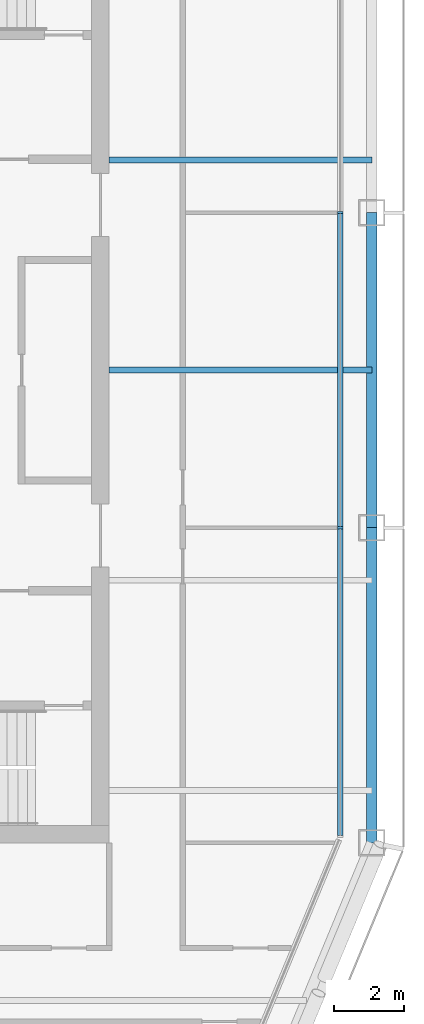
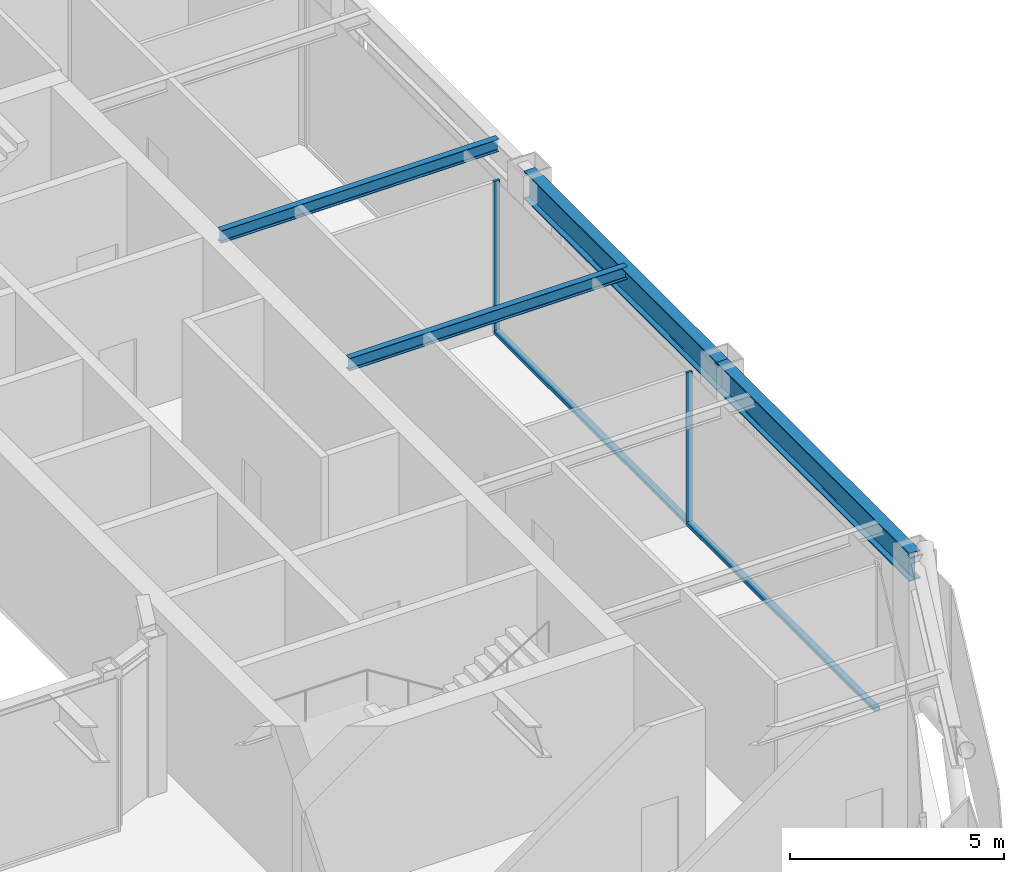
# One storey, part 5 of 21: 4 beams, 4 members, 1 element without a shape of its own.
"""IFC4 building model written with IfcOpenShell, lengths in metres."""

from ifc_helpers import new_model, si_unit, direction, frame, origin, origin_2d, place, context, subcontext, project, spatial, rectangle, i_section, extrude, material, layer, layer_set, material_profile, profile_set, type_object, element, aggregate, save


model = new_model("IFC4")

# Units and contexts
model_context = context("Model", 3, precision=1e-05, world=origin(), true_north=direction((0.0, 1.0)))
body_context = subcontext(model_context, "Body", "Model", "MODEL_VIEW")
ifc_project = project(units=[si_unit("LENGTHUNIT", "METRE"), si_unit("AREAUNIT", "SQUARE_METRE"), si_unit("VOLUMEUNIT", "CUBIC_METRE"), si_unit("PLANEANGLEUNIT", "RADIAN"), si_unit("MASSUNIT", "GRAM", prefix="KILO")], contexts=[model_context])

# Site, building, storey
site_placement = place(None, origin())
site = spatial("IfcSite", under=ifc_project, at=site_placement, CompositionType="ELEMENT")
building_placement = place(site_placement, origin())
building = spatial("IfcBuilding", under=site, at=building_placement, Name="Siwar Civic Tower", CompositionType="ELEMENT")
storey_placement = place(building_placement, frame((0.0, 0.0, 294.199951171875)))
storey = spatial("IfcBuildingStorey", under=building, at=storey_placement, Name="L63", CompositionType="ELEMENT", Elevation=294.199951171875)

# Curtain wall, members
ifc_material_1 = material(Name="Aluminium and glass", Category="aluminium")
ifc_layer = layer(ifc_material_1, 0.159912109375)
ifc_layer_set = layer_set([ifc_layer], Name="Aluminium and glass")
curtain_wall_type = type_object("IfcCurtainWallType", Name="ENV-CW-D", PredefinedType="NOTDEFINED", material=ifc_layer_set)
curtain_wall_placement = place(storey_placement, origin())
curtain_wall = element("IfcCurtainWall", 1, at=curtain_wall_placement, inside=storey, type_object=curtain_wall_type, Name="Curtain wall D E", PredefinedType="NOTDEFINED")
ifc_material_2 = material(Name="Aluminium 6063-T6", Category="aluminium")
ifc_material_profile_1 = material_profile(ifc_material_2, rectangle(XDim=0.159912109375, YDim=0.06005859375, at=origin_2d()), Name="AL 160x60")
ifc_profile_set_1 = profile_set([ifc_material_profile_1], Name="Aluminium 6063-T6")
member_type_1 = type_object("IfcMemberType", Name="ENV-MULLION-D", PredefinedType="MULLION", material=ifc_profile_set_1)
member_1_placement = place(storey_placement, frame((23.85009765625, -4.5, 0.0), z_axis=(0.0, 0.0, 1.0), x_axis=(-1.0, 0.0, 0.0)))
member_1 = element("IfcMember", 2, at=member_1_placement, type_object=member_type_1, Name="Mullion D E 2", PredefinedType="MULLION", context=body_context, shape_type="SweptSolid", body=[
    extrude(rectangle(XDim=0.159912109375, YDim=0.06005859375, at=origin_2d()), origin(), (0.0, 0.0, 1.0), 4.35009765625),
])
member_2_placement = place(storey_placement, frame((23.85009765625, 4.5, 0.0), z_axis=(0.0, 0.0, 1.0), x_axis=(-1.0, 0.0, 0.0)))
member_2 = element("IfcMember", 3, at=member_2_placement, type_object=member_type_1, Name="Mullion D E 3", PredefinedType="MULLION", context=body_context, shape_type="SweptSolid", body=[
    extrude(rectangle(XDim=0.159912109375, YDim=0.06005859375, at=origin_2d()), origin(), (0.0, 0.0, 1.0), 4.35009765625),
])
ifc_material_3 = material(Name="Aluminium 6063-T6", Category="aluminium")
ifc_material_profile_2 = material_profile(ifc_material_3, rectangle(XDim=0.159912109375, YDim=0.10009765625, at=origin_2d()), Name="AL 160x100")
ifc_profile_set_2 = profile_set([ifc_material_profile_2], Name="Aluminium 6063-T6")
member_type_2 = type_object("IfcMemberType", Name="ENV-TRANSOM-D", PredefinedType="USERDEFINED", material=ifc_profile_set_2)
member_3_placement = place(storey_placement, frame((23.85009765625, -13.291015625, 0.050048828125), z_axis=(0.0, 1.0, 0.0), x_axis=(-1.0, 0.0, 0.0)))
member_3 = element("IfcMember", 4, at=member_3_placement, type_object=member_type_2, Name="Transom D E 1", ObjectType="TRANSOM", PredefinedType="USERDEFINED", context=body_context, shape_type="SweptSolid", body=[
    extrude(rectangle(XDim=0.159912109375, YDim=0.10009765625, at=origin_2d()), origin(), (0.0, 0.0, 1.0), 8.760986328125),
])
member_4_placement = place(storey_placement, frame((23.85009765625, -4.469970703125, 0.050048828125), z_axis=(0.0, 1.0, 0.0), x_axis=(-1.0, 0.0, 0.0)))
member_4 = element("IfcMember", 5, at=member_4_placement, type_object=member_type_2, Name="Transom D E 2", ObjectType="TRANSOM", PredefinedType="USERDEFINED", context=body_context, shape_type="SweptSolid", body=[
    extrude(rectangle(XDim=0.159912109375, YDim=0.10009765625, at=origin_2d()), origin(), (0.0, 0.0, 1.0), 8.93994140625),
])
aggregate(curtain_wall, [member_1, member_2, member_3, member_4])

# Beams
ifc_material_4 = material(Name="Steel S355", Category="steel")
ifc_material_profile_3 = material_profile(ifc_material_4, i_section(OverallWidth=0.169921875, OverallDepth=0.360107421875, WebThickness=0.008056640625, FlangeThickness=0.0126953125, FilletRadius=0.01806640625, at=origin_2d()), Name="IPE360")
ifc_profile_set_3 = profile_set([ifc_material_profile_3], Name="Steel S355")
beam_type_1 = type_object("IfcBeamType", Name="STR-FB-IPE360", PredefinedType="JOIST", material=ifc_profile_set_3)
for number, where, z_axis, x_axis, name in (
    (6, (17.25, 0.0, 4.170166015625), (1.0, 0.0, 0.0), (0.0, 1.0, 0.0), "L63/bm/F019"),
    (7, (17.25, 6.0, 4.170166015625), (1.0, 0.0, 0.0), (0.0, 1.0, 0.0), "L63/bm/F021"),
):
    element("IfcBeam", number, at=place(storey_placement, frame(where, z_axis=z_axis, x_axis=x_axis)), inside=storey, type_object=beam_type_1, Name=name, PredefinedType="JOIST", context=body_context, shape_type="SweptSolid", body=[
        extrude(i_section(OverallWidth=0.169921875, OverallDepth=0.360107421875, WebThickness=0.008056640625, FlangeThickness=0.0126953125, FilletRadius=0.01806640625, at=origin_2d()), origin(), (0.0, 0.0, 1.0), 7.5),
    ])
ifc_material_5 = material(Name="Steel S355", Category="steel")
ifc_material_profile_4 = material_profile(ifc_material_5, i_section(OverallWidth=0.300048828125, OverallDepth=0.800048828125, WebThickness=0.017578125, FlangeThickness=0.032958984375, FilletRadius=0.030029296875, at=origin_2d()), Name="HEB800")
ifc_profile_set_4 = profile_set([ifc_material_profile_4], Name="Steel S355")
beam_type_2 = type_object("IfcBeamType", Name="STR-SB-HEB800", PredefinedType="BEAM", material=ifc_profile_set_4)
for number, where, z_axis, x_axis, name in (
    (8, (24.75, -13.5, 3.949951171875), (0.0, 1.0, 0.0), (-1.0, 0.0, 0.0), "L63/bm/SE-0"),
    (9, (24.75, -4.5, 3.949951171875), (0.0, 1.0, 0.0), (-1.0, 0.0, 0.0), "L63/bm/SE-1"),
):
    element("IfcBeam", number, at=place(storey_placement, frame(where, z_axis=z_axis, x_axis=x_axis)), inside=storey, type_object=beam_type_2, Name=name, PredefinedType="BEAM", context=body_context, shape_type="SweptSolid", body=[
        extrude(i_section(OverallWidth=0.300048828125, OverallDepth=0.800048828125, WebThickness=0.017578125, FlangeThickness=0.032958984375, FilletRadius=0.030029296875, at=origin_2d()), origin(), (0.0, 0.0, 1.0), 9.0),
    ])

save(model, "model.ifc")
